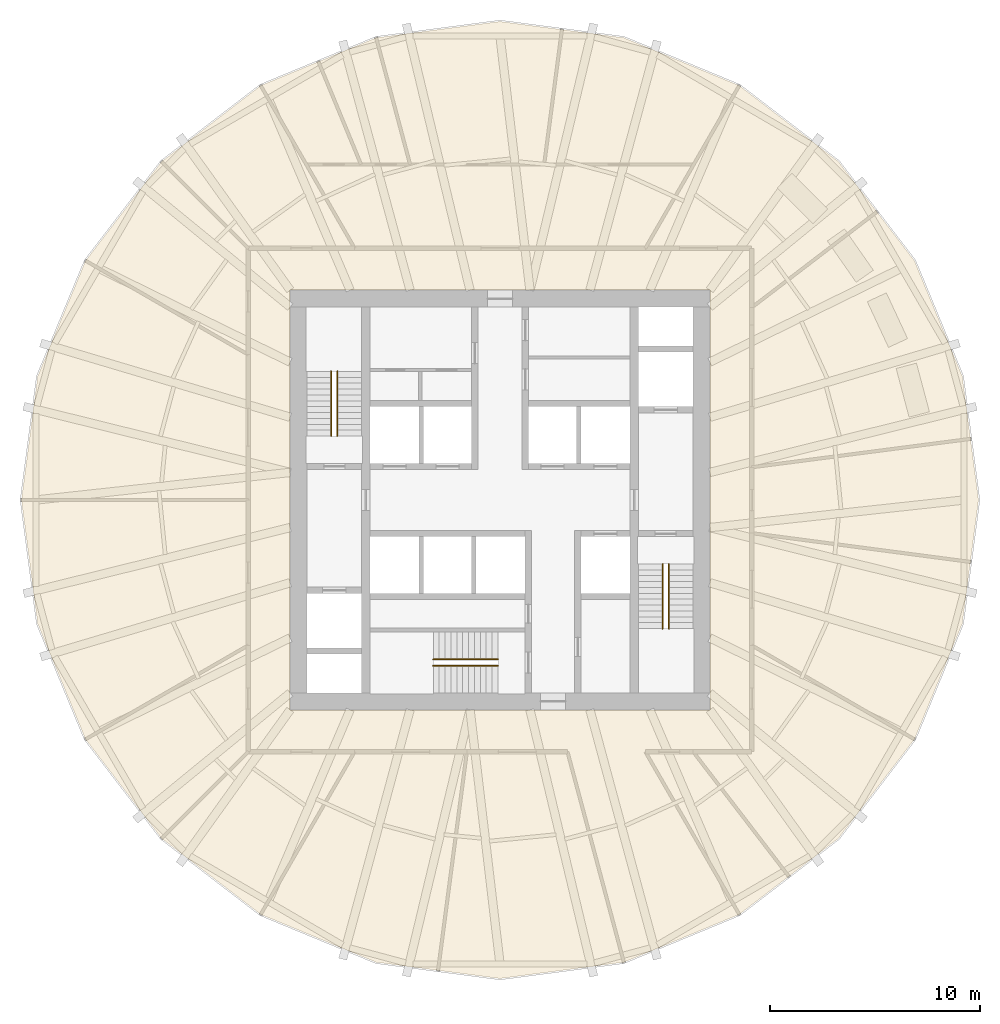
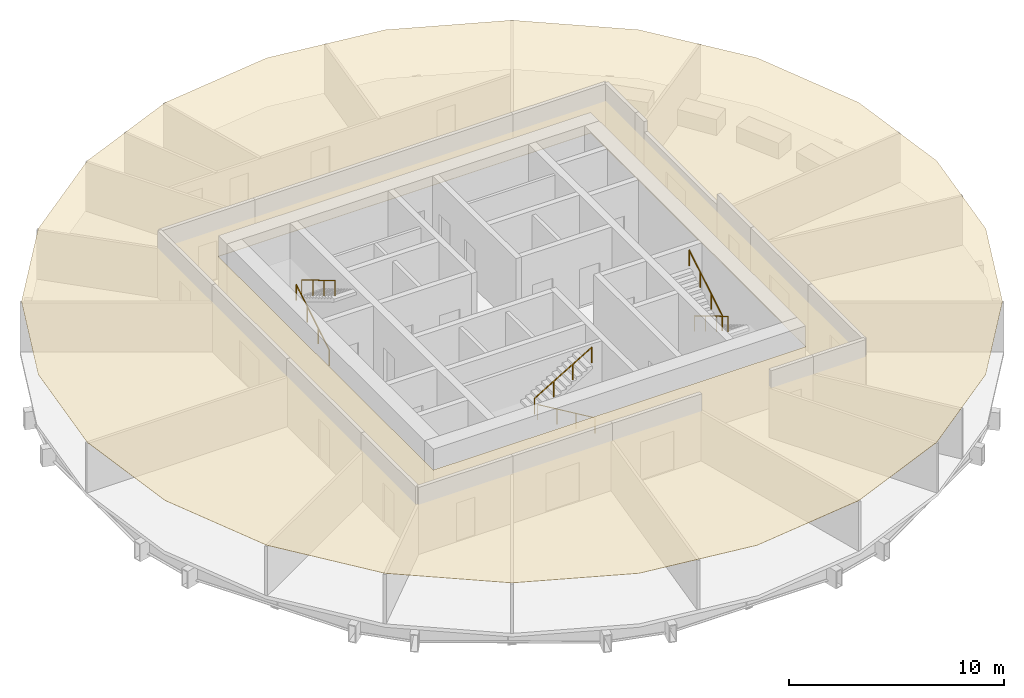
# One storey, part 6 of 7: 6 railings, 1 covering.
"""IFC4 building model written with IfcOpenShell, lengths in metres."""

from ifc_helpers import new_model, si_unit, direction, frame, origin, origin_2d, place, context, subcontext, project, spatial, polyline, circle, outline, extrude, material, layer, layer_set, type_object, element, save


model = new_model("IFC4")

# Units and contexts
model_context = context("Model", 3, precision=1e-05, world=origin(), true_north=direction((0.0, 1.0)))
body_context = subcontext(model_context, "Body", "Model", "MODEL_VIEW")
ifc_project = project(units=[si_unit("LENGTHUNIT", "METRE"), si_unit("AREAUNIT", "SQUARE_METRE"), si_unit("VOLUMEUNIT", "CUBIC_METRE"), si_unit("PLANEANGLEUNIT", "RADIAN"), si_unit("MASSUNIT", "GRAM", prefix="KILO")], contexts=[model_context])

# Site, building, storey
site_placement = place(None, origin())
site = spatial("IfcSite", under=ifc_project, at=site_placement, CompositionType="ELEMENT")
building_placement = place(site_placement, origin())
building = spatial("IfcBuilding", under=site, at=building_placement, Name="Golbaran Civic Tower", CompositionType="ELEMENT")
storey_placement = place(building_placement, frame((0.0, 0.0, 41.0)))
storey = spatial("IfcBuildingStorey", under=building, at=storey_placement, Name="L09", CompositionType="ELEMENT", Elevation=41.0)

# Railings
ifc_material_1 = material(Name="Stainless steel", Category="steel")
railing_type = type_object("IfcRailingType", Name="STAIR HANDRAIL 900", PredefinedType="HANDRAIL", material=ifc_material_1)
railing_1_placement = place(storey_placement, frame((-8.050048828125, 3.050048828125, 0.166748046875)))
element("IfcRailing", 1, at=railing_1_placement, inside=storey, type_object=railing_type, Name="Stair S1 handrail flight 1 L09", PredefinedType="HANDRAIL", context=body_context, shape_type="SweptSolid", body=[
    extrude(circle(Radius=0.02392578125, at=origin_2d()), frame((0.0, 0.0, 0.8759765625), z_axis=(0.0, 0.859290745958, 0.51148745235), x_axis=(-1.0, 0.0, 0.0)), (0.0, 0.0, 1.0), 3.584228515625),
    extrude(circle(Radius=0.02099609375, at=origin_2d()), origin(), (0.0, 0.0, 1.0), 0.851806640625),
    extrude(circle(Radius=0.02099609375, at=origin_2d()), frame((0.0, 1.026611328125, 0.611083984375)), (0.0, 0.0, 1.0), 0.851806640625),
    extrude(circle(Radius=0.02099609375, at=origin_2d()), frame((0.0, 2.05322265625, 1.22216796875)), (0.0, 0.0, 1.0), 0.851806640625),
    extrude(circle(Radius=0.02099609375, at=origin_2d()), frame((0.0, 3.079833984375, 1.833251953125)), (0.0, 0.0, 1.0), 0.851806640625),
])
for number, where, name in (
    (2, (-7.75, 6.1298828125, 2.166748046875), "Stair S1 handrail flight 2 L09"),
    (3, (8.050048828125, -3.050048828125, 0.166748046875), "Stair S2 handrail flight 1 L09"),
):
    element("IfcRailing", number, at=place(storey_placement, frame(where)), inside=storey, type_object=railing_type, Name=name, PredefinedType="HANDRAIL", context=body_context, shape_type="SweptSolid", body=[
        extrude(circle(Radius=0.02392578125, at=origin_2d()), frame((0.0, 0.0, 0.8759765625), z_axis=(0.0, -0.859290745958, 0.51148745235), x_axis=(1.0, 0.0, 0.0)), (0.0, 0.0, 1.0), 3.584228515625),
        extrude(circle(Radius=0.02099609375, at=origin_2d()), origin(), (0.0, 0.0, 1.0), 0.851806640625),
        extrude(circle(Radius=0.02099609375, at=origin_2d()), frame((0.0, -1.026611328125, 0.611083984375)), (0.0, 0.0, 1.0), 0.851806640625),
        extrude(circle(Radius=0.02099609375, at=origin_2d()), frame((0.0, -2.05322265625, 1.22216796875)), (0.0, 0.0, 1.0), 0.851806640625),
        extrude(circle(Radius=0.02099609375, at=origin_2d()), frame((0.0, -3.079833984375, 1.833251953125)), (0.0, 0.0, 1.0), 0.851806640625),
    ])
railing_2_placement = place(storey_placement, frame((7.75, -6.1298828125, 2.166748046875)))
element("IfcRailing", 4, at=railing_2_placement, inside=storey, type_object=railing_type, Name="Stair S2 handrail flight 2 L09", PredefinedType="HANDRAIL", context=body_context, shape_type="SweptSolid", body=[
    extrude(circle(Radius=0.02392578125, at=origin_2d()), frame((0.0, 0.0, 0.8759765625), z_axis=(0.0, 0.859290745958, 0.51148745235), x_axis=(-1.0, 0.0, 0.0)), (0.0, 0.0, 1.0), 3.584228515625),
    extrude(circle(Radius=0.02099609375, at=origin_2d()), origin(), (0.0, 0.0, 1.0), 0.851806640625),
    extrude(circle(Radius=0.02099609375, at=origin_2d()), frame((0.0, 1.026611328125, 0.611083984375)), (0.0, 0.0, 1.0), 0.851806640625),
    extrude(circle(Radius=0.02099609375, at=origin_2d()), frame((0.0, 2.05322265625, 1.22216796875)), (0.0, 0.0, 1.0), 0.851806640625),
    extrude(circle(Radius=0.02099609375, at=origin_2d()), frame((0.0, 3.079833984375, 1.833251953125)), (0.0, 0.0, 1.0), 0.851806640625),
])
railing_3_placement = place(storey_placement, frame((-0.10009765625, -7.89990234375, 0.166748046875)))
element("IfcRailing", 5, at=railing_3_placement, inside=storey, type_object=railing_type, Name="Stair S3 handrail flight 1 L09", PredefinedType="HANDRAIL", context=body_context, shape_type="SweptSolid", body=[
    extrude(circle(Radius=0.02392578125, at=origin_2d()), frame((0.0, 0.0, 0.8759765625), z_axis=(-0.859290745958, 0.0, 0.51148745235), x_axis=(0.0, -1.0, 0.0)), (0.0, 0.0, 1.0), 3.584228515625),
    extrude(circle(Radius=0.02099609375, at=origin_2d()), origin(), (0.0, 0.0, 1.0), 0.851806640625),
    extrude(circle(Radius=0.02099609375, at=origin_2d()), frame((-1.026611328125, 0.0, 0.611083984375)), (0.0, 0.0, 1.0), 0.851806640625),
    extrude(circle(Radius=0.02099609375, at=origin_2d()), frame((-2.05322265625, 0.0, 1.22216796875)), (0.0, 0.0, 1.0), 0.851806640625),
    extrude(circle(Radius=0.02099609375, at=origin_2d()), frame((-3.079833984375, 0.0, 1.833251953125)), (0.0, 0.0, 1.0), 0.851806640625),
])
railing_4_placement = place(storey_placement, frame((-3.179931640625, -7.60009765625, 2.166748046875)))
element("IfcRailing", 6, at=railing_4_placement, inside=storey, type_object=railing_type, Name="Stair S3 handrail flight 2 L09", PredefinedType="HANDRAIL", context=body_context, shape_type="SweptSolid", body=[
    extrude(circle(Radius=0.02392578125, at=origin_2d()), frame((0.0, 0.0, 0.8759765625), z_axis=(0.859290745958, 0.0, 0.51148745235), x_axis=(0.0, 1.0, 0.0)), (0.0, 0.0, 1.0), 3.584228515625),
    extrude(circle(Radius=0.02099609375, at=origin_2d()), origin(), (0.0, 0.0, 1.0), 0.851806640625),
    extrude(circle(Radius=0.02099609375, at=origin_2d()), frame((1.026611328125, 0.0, 0.611083984375)), (0.0, 0.0, 1.0), 0.851806640625),
    extrude(circle(Radius=0.02099609375, at=origin_2d()), frame((2.05322265625, 0.0, 1.22216796875)), (0.0, 0.0, 1.0), 0.851806640625),
    extrude(circle(Radius=0.02099609375, at=origin_2d()), frame((3.079833984375, 0.0, 1.833251953125)), (0.0, 0.0, 1.0), 0.851806640625),
])

# Covering
ifc_material_2 = material(Name="Mineral fibre tile on steel grid", Category="steel")
ifc_layer = layer(ifc_material_2, 0.02001953125, Name="Mineral fibre tile on steel grid")
ifc_layer_set = layer_set([ifc_layer], Name="Mineral fibre tile on steel grid")
covering_type = type_object("IfcCoveringType", Name="SUSPENDED CEILING 600 TILE 20", PredefinedType="CEILING", material=ifc_layer_set)
covering_placement = place(storey_placement, frame((0.0, 0.0, 2.800048828125)))
element("IfcCovering", 7, at=covering_placement, inside=storey, type_object=covering_type, Name="Suspended ceiling L09", PredefinedType="CEILING", context=body_context, shape_type="SweptSolid", body=[
    extrude(outline(polyline([(-16.1298828125, 16.1298828125), (-11.405517578125, 19.7548828125), (-5.90380859375, 22.03369140625), (0.0, 22.81103515625), (5.90380859375, 22.03369140625), (11.405517578125, 19.7548828125), (16.1298828125, 16.1298828125), (19.7548828125, 11.405517578125), (22.03369140625, 5.90380859375), (22.81103515625, 0.0), (22.03369140625, -5.90380859375), (19.7548828125, -11.405517578125), (16.1298828125, -16.1298828125), (13.88671875, -17.85107421875), (11.405517578125, -19.7548828125), (5.90380859375, -22.03369140625), (0.0, -22.81103515625), (-5.90380859375, -22.03369140625), (-11.405517578125, -19.7548828125), (-16.1298828125, -16.1298828125), (-19.7548828125, -11.405517578125), (-22.03369140625, -5.90380859375), (-22.81103515625, 0.0), (-22.03369140625, 5.90380859375), (-19.7548828125, 11.405517578125), (-16.1298828125, 16.1298828125)]), holes=[polyline([(-10.0, -10.0), (10.0, -10.0), (10.0, 10.0), (-10.0, 10.0), (-10.0, -10.0)])]), origin(), (0.0, 0.0, 1.0), 0.02001953125),
])

save(model, "model.ifc")
